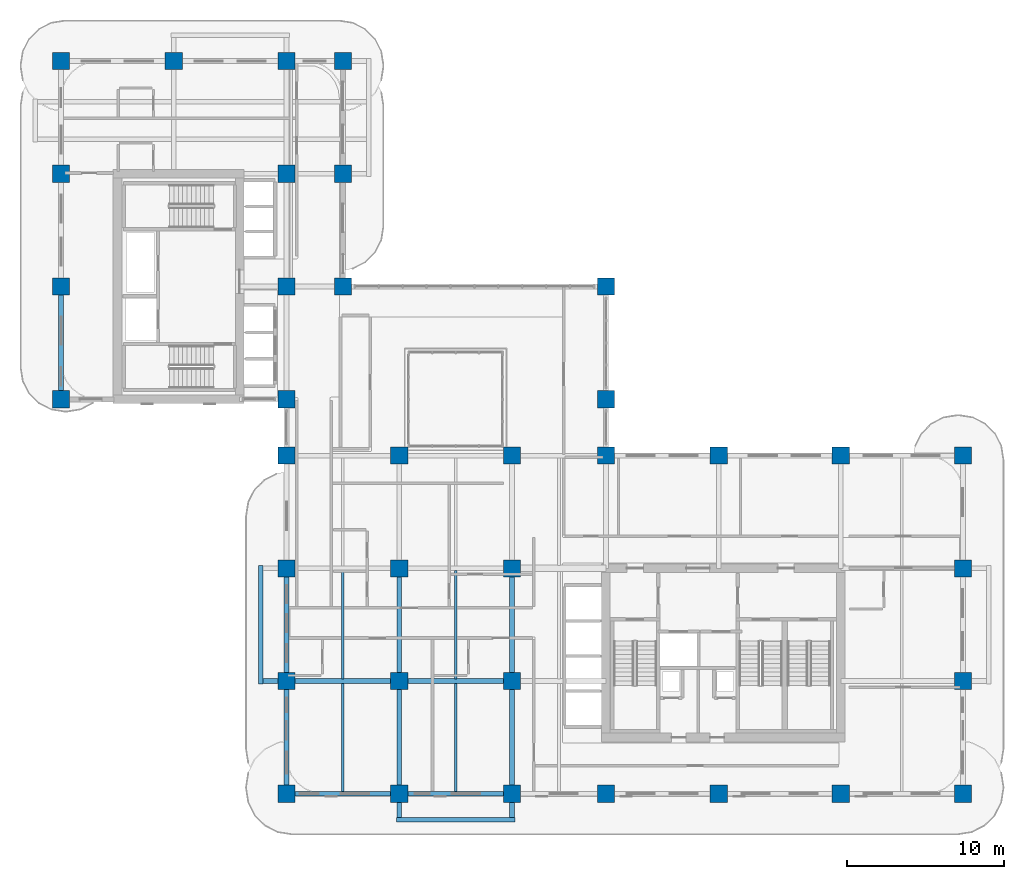
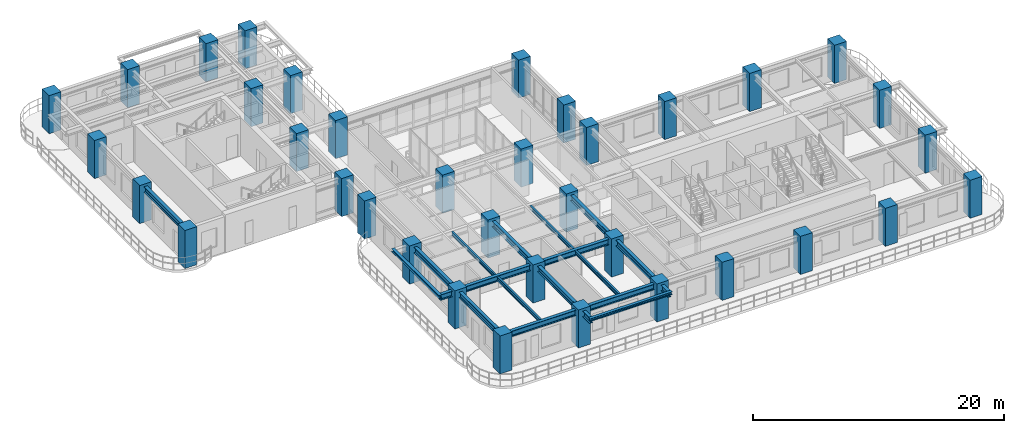
# One storey, part 1 of 22: 36 columns, 17 beams.
"""IFC4 building model written with IfcOpenShell, lengths in metres."""

import ifcopenshell
import ifcopenshell.guid

model = None  # the IFC model being written
_history = None  # IfcOwnerHistory: only IFC2X3 demands one
_inside = {}  # id of a spatial element -> (the spatial element, [elements in it])
_under = {}  # id of a project, library or spatial element -> (it, [spatial elements below it])
_declared = {}  # id of a project -> (the project, [libraries it declares])
_typed = {}  # id of a type object -> (the type object, [elements of that type])
_made_of = {}  # id of a material, layer set ... -> (it, [elements and type objects made of it])


def new_model(schema):
    """Start an empty IFC model of exactly this schema.

    Asked for "IFC4X3", IfcOpenShell would pick the latest addendum, in which some entities
    have other attributes; the version numbers below select the first issue.
    IFC2X3 requires an IfcOwnerHistory on every rooted entity: one is made here for all.
    """
    global model, _history
    if schema == "IFC4X3":
        model = ifcopenshell.file(schema_version=(4, 3, 0, 0))
    else:
        model = ifcopenshell.file(schema=schema)
    _inside.clear()
    _under.clear()
    _declared.clear()
    _typed.clear()
    _made_of.clear()
    _history = None
    if model.schema == "IFC2X3":
        org = make("IfcOrganization", Name="unknown")
        user = make(
            "IfcPersonAndOrganization",
            ThePerson=make("IfcPerson", FamilyName="unknown"),
            TheOrganization=org,
        )
        app = make(
            "IfcApplication",
            ApplicationDeveloper=org,
            Version="unknown",
            ApplicationFullName="unknown",
            ApplicationIdentifier="unknown",
        )
        _history = make(
            "IfcOwnerHistory",
            OwningUser=user,
            OwningApplication=app,
            ChangeAction="ADDED",
            CreationDate=0,
        )
    return model


def make(cls, **values):
    """One entity of the class cls with the attributes given. An attribute that is None is left unset."""
    return model.create_entity(
        cls, **{name: value for name, value in values.items() if value is not None}
    )


def rooted(cls, **values):
    """An entity with a GlobalId (a new one), such as an element, a storey or a relation."""
    return make(cls, GlobalId=ifcopenshell.guid.new(), OwnerHistory=_history, **values)


def si_unit(unit_type, name, prefix=None):
    """IfcSIUnit, for example si_unit("LENGTHUNIT", "METRE", prefix="MILLI")."""
    return make("IfcSIUnit", UnitType=unit_type, Prefix=prefix, Name=name)


def derived_unit(unit_type, elements):
    """IfcDerivedUnit: a product of units, each with its exponent."""
    return make(
        "IfcDerivedUnit",
        Elements=[
            make("IfcDerivedUnitElement", Unit=unit, Exponent=power)
            for unit, power in elements
        ],
        UnitType=unit_type,
    )


def assignment(units):
    """IfcUnitAssignment: the units of a project."""
    return None if units is None else make("IfcUnitAssignment", Units=units)


def point(xyz):
    """IfcCartesianPoint."""
    return None if xyz is None else make("IfcCartesianPoint", Coordinates=xyz)


def direction(xyz):
    """IfcDirection."""
    return None if xyz is None else make("IfcDirection", DirectionRatios=xyz)


def frame(location, z_axis=None, x_axis=None):
    """IfcAxis2Placement3D, a coordinate frame: its origin and axes. An axis left out is left unset."""
    return make(
        "IfcAxis2Placement3D",
        Location=point(location),
        Axis=direction(z_axis),
        RefDirection=direction(x_axis),
    )


def frame_2d(location, x_axis=None):
    """IfcAxis2Placement2D, a coordinate frame in the plane: its origin and x axis."""
    return make(
        "IfcAxis2Placement2D", Location=point(location), RefDirection=direction(x_axis)
    )


def origin():
    """The frame at (0, 0, 0) with its axes left unset."""
    return frame((0.0, 0.0, 0.0))


def origin_2d():
    """The frame at (0, 0) in the plane with its x axis left unset."""
    return frame_2d((0.0, 0.0))


def place(relative_to, where):
    """IfcLocalPlacement: puts the frame where relative to a parent placement (None: the world)."""
    return make(
        "IfcLocalPlacement", PlacementRelTo=relative_to, RelativePlacement=where
    )


def context(
    kind, dimensions, precision=None, world=None, true_north=None, identifier=None
):
    """IfcGeometricRepresentationContext, for example the 3D "Model" context."""
    return make(
        "IfcGeometricRepresentationContext",
        ContextIdentifier=identifier,
        ContextType=kind,
        CoordinateSpaceDimension=dimensions,
        Precision=precision,
        WorldCoordinateSystem=world,
        TrueNorth=true_north,
    )


def subcontext(parent, identifier, kind, view, scale=None):
    """IfcGeometricRepresentationSubContext, for example "Body" below "Model"."""
    return make(
        "IfcGeometricRepresentationSubContext",
        ContextIdentifier=identifier,
        ContextType=kind,
        ParentContext=parent,
        TargetScale=scale,
        TargetView=view,
    )


def project(units=None, contexts=None):
    """IfcProject with its units and contexts."""
    return rooted(
        "IfcProject",
        Name="project",
        RepresentationContexts=contexts,
        UnitsInContext=assignment(units),
    )


def spatial(cls, under=None, at=None, **own):
    """A site, building, storey or space (cls), placed at a placement, below another one or the project."""
    s = rooted(cls, ObjectPlacement=at, **own)
    if under is not None:
        _under.setdefault(under.id(), (under, []))[1].append(s)
    return s


def profile(cls, at=None, kind="AREA", **sizes):
    """A parametric profile (cls). Its sizes go by their IFC names, for example OverallWidth=200.0."""
    return make(cls, ProfileType=kind, Position=at, **sizes)


def rectangle(**sizes):
    """IfcRectangleProfileDef."""
    return profile("IfcRectangleProfileDef", **sizes)


def i_section(**sizes):
    """IfcIShapeProfileDef."""
    return profile("IfcIShapeProfileDef", **sizes)


def extrude(swept, where, along, depth):
    """IfcExtrudedAreaSolid: the profile swept, set in the frame where, extruded along a direction by depth."""
    return make(
        "IfcExtrudedAreaSolid",
        SweptArea=swept,
        Position=where,
        ExtrudedDirection=direction(along),
        Depth=depth,
    )


def shape(context_of_items, identifier, shape_type, items):
    """IfcShapeRepresentation: the items that make up one representation, for example the "Body"."""
    return make(
        "IfcShapeRepresentation",
        ContextOfItems=context_of_items,
        RepresentationIdentifier=identifier,
        RepresentationType=shape_type,
        Items=items,
    )


def source(mapping_origin, context_of_items, identifier, shape_type, items):
    """IfcRepresentationMap: a shape defined once, which mapped items show again and again."""
    return make(
        "IfcRepresentationMap",
        MappingOrigin=mapping_origin,
        MappedRepresentation=shape(context_of_items, identifier, shape_type, items),
    )


def transform(
    local_origin,
    x_axis=None,
    y_axis=None,
    z_axis=None,
    scale=None,
    scale2=None,
    scale3=None,
    uniform=True,
):
    """IfcCartesianTransformationOperator3D, or its non-uniform kind. x_axis, y_axis, z_axis: its Axis1, 2, 3."""
    if uniform:
        return make(
            "IfcCartesianTransformationOperator3D",
            Axis1=direction(x_axis),
            Axis2=direction(y_axis),
            LocalOrigin=point(local_origin),
            Scale=scale,
            Axis3=direction(z_axis),
        )
    return make(
        "IfcCartesianTransformationOperator3DnonUniform",
        Axis1=direction(x_axis),
        Axis2=direction(y_axis),
        LocalOrigin=point(local_origin),
        Scale=scale,
        Axis3=direction(z_axis),
        Scale2=scale2,
        Scale3=scale3,
    )


def mapped(mapping_source, mapping_target):
    """IfcMappedItem: shows the shape of a source again, moved by a transform."""
    return make(
        "IfcMappedItem", MappingSource=mapping_source, MappingTarget=mapping_target
    )


def material(Name=None, Category=None):
    """IfcMaterial."""
    return make("IfcMaterial", Name=Name, Category=Category)


def material_profile(
    of_material, cross_section, Name=None, Category=None, Priority=None
):
    """IfcMaterialProfile: a cross section and its material."""
    return make(
        "IfcMaterialProfile",
        Name=Name,
        Material=of_material,
        Profile=cross_section,
        Priority=Priority,
        Category=Category,
    )


def profile_set(profiles, Name=None, composite=None):
    """IfcMaterialProfileSet."""
    return make(
        "IfcMaterialProfileSet",
        Name=Name,
        MaterialProfiles=profiles,
        CompositeProfile=composite,
    )


def made_of(thing, what):
    """Note that an element or type object is made of a material, layer set ...; save() writes the relation."""
    if what is not None:
        _made_of.setdefault(what.id(), (what, []))[1].append(thing)
    return thing


def type_object(cls, material=None, **own):
    """A type object (cls), such as IfcWallType, which elements share."""
    return made_of(rooted(cls, **own), material)


def type_shapes(of_type, sources):
    """Give a type object the sources (RepresentationMaps) that its elements show as mapped items."""
    of_type.RepresentationMaps = sources


def element(
    cls,
    number,
    at=None,
    inside=None,
    cuts=None,
    type_object=None,
    material=None,
    context=None,
    identifier="Body",
    shape_type=None,
    held_by="IfcProductDefinitionShape",
    body=None,
    shapes=None,
    **own,
):
    """One element of the class cls, such as IfcWall. Its Tag is "e" and its number.

    at: its placement. inside: the storey or other place that contains it. cuts: it is an
    opening in that element (IfcRelVoidsElement). A single representation is given by context,
    identifier, shape_type and body (its items); several are given by shapes. held_by: the class
    of the entity that holds the representations. save() writes the other relations.
    """
    e = rooted(cls, Tag="e%d" % number, ObjectPlacement=at, **own)
    if body is not None:
        shapes = [shape(context, identifier, shape_type, body)]
    if shapes is not None:
        e.Representation = make(held_by, Representations=shapes)
    if inside is not None:
        _inside.setdefault(inside.id(), (inside, []))[1].append(e)
    if cuts is not None:
        rooted(
            "IfcRelVoidsElement", RelatingBuildingElement=cuts, RelatedOpeningElement=e
        )
    if type_object is not None:
        _typed.setdefault(type_object.id(), (type_object, []))[1].append(e)
    return made_of(e, material)


def aggregate(whole, parts):
    """IfcRelAggregates: a whole, such as a stair, and the parts it consists of."""
    return rooted("IfcRelAggregates", RelatingObject=whole, RelatedObjects=parts)


def save(model, path):
    """Write the relations noted so far, then the file.

    IfcRelAggregates (storeys below a building ...), IfcRelContainedInSpatialStructure (elements
    in a storey), IfcRelDefinesByType, IfcRelAssociatesMaterial and IfcRelDeclares: one each for
    every whole, place, type object, material and project.
    """
    for whole, parts in _under.values():
        aggregate(whole, parts)
    for where, things in _inside.values():
        rooted(
            "IfcRelContainedInSpatialStructure",
            RelatedElements=things,
            RelatingStructure=where,
        )
    for kind, things in _typed.values():
        rooted("IfcRelDefinesByType", RelatedObjects=things, RelatingType=kind)
    for what, things in _made_of.values():
        rooted("IfcRelAssociatesMaterial", RelatedObjects=things, RelatingMaterial=what)
    for by, libraries in _declared.values():
        rooted("IfcRelDeclares", RelatingContext=by, RelatedDefinitions=libraries)
    model.write(path)


model = new_model("IFC4")

# Units and contexts
model_context = context("Model", 3, precision=1e-05, world=origin(), true_north=direction((0.0, 1.0)))
body_context = subcontext(model_context, "Body", "Model", "MODEL_VIEW")
ifc_project = project(units=[si_unit("LENGTHUNIT", "METRE"), si_unit("AREAUNIT", "SQUARE_METRE"), si_unit("VOLUMEUNIT", "CUBIC_METRE"), si_unit("PLANEANGLEUNIT", "RADIAN"), si_unit("MASSUNIT", "GRAM", prefix="KILO"), si_unit("THERMODYNAMICTEMPERATUREUNIT", "KELVIN"), si_unit("POWERUNIT", "WATT"), derived_unit("THERMALTRANSMITTANCEUNIT", [(si_unit("POWERUNIT", "WATT"), 1), (si_unit("AREAUNIT", "SQUARE_METRE"), -1), (si_unit("THERMODYNAMICTEMPERATUREUNIT", "KELVIN"), -1)])], contexts=[model_context])

# Site, building, storey
site_placement = place(None, origin())
site = spatial("IfcSite", under=ifc_project, at=site_placement, CompositionType="ELEMENT")
building_placement = place(site_placement, origin())
building = spatial("IfcBuilding", under=site, at=building_placement, Name="Zahravan Archway Hotel and Residences", CompositionType="ELEMENT")
storey_placement = place(building_placement, frame((0.0, 0.0, 91.60009765625)))
storey = spatial("IfcBuildingStorey", under=building, at=storey_placement, Name="L22", CompositionType="ELEMENT", Elevation=91.60009765625)

# Columns
ifc_material_1 = material(Name="Concrete C70/85", Category="concrete")
ifc_material_profile_1 = material_profile(ifc_material_1, rectangle(XDim=1.10009765625, YDim=1.10009765625, at=origin_2d()), Name="RC 1100x1100", Category="concrete")
ifc_profile_set_1 = profile_set([ifc_material_profile_1], Name="Concrete C70/85")
column_type = type_object("IfcColumnType", Name="COL-RC-1100", PredefinedType="COLUMN", material=ifc_profile_set_1)
shared_shape_1 = source(origin(), body_context, "Body", "SweptSolid", [
    extrude(rectangle(XDim=1.10009765625, YDim=1.10009765625, at=origin_2d()), origin(), (0.0, 0.0, 1.0), 3.699951171875),
])
for number, where, z_axis, x_axis, name in (
    (1, (0.0, 25.199951171875, 0.0), (0.0, 0.0, 1.0), (1.0, 0.0, 0.0), "L22 Column 1-E"),
    (2, (0.0, 32.39990234375, 0.0), (0.0, 0.0, 1.0), (1.0, 0.0, 0.0), "L22 Column 1-F"),
    (3, (0.0, 39.60009765625, 0.0), (0.0, 0.0, 1.0), (1.0, 0.0, 0.0), "L22 Column 1-G"),
    (4, (0.0, 46.800048828125, 0.0), (0.0, 0.0, 1.0), (1.0, 0.0, 0.0), "L22 Column 1-H"),
    (5, (7.199951171875, 46.800048828125, 0.0), (0.0, 0.0, 1.0), (1.0, 0.0, 0.0), "L22 Column 2-H"),
    (6, (14.39990234375, 0.0, 0.0), (0.0, 0.0, 1.0), (1.0, 0.0, 0.0), "L22 Column 3-A"),
    (7, (14.39990234375, 7.199951171875, 0.0), (0.0, 0.0, 1.0), (1.0, 0.0, 0.0), "L22 Column 3-B"),
    (8, (14.39990234375, 14.39990234375, 0.0), (0.0, 0.0, 1.0), (1.0, 0.0, 0.0), "L22 Column 3-C"),
    (9, (14.39990234375, 21.60009765625, 0.0), (0.0, 0.0, 1.0), (1.0, 0.0, 0.0), "L22 Column 3-D"),
    (10, (14.39990234375, 25.199951171875, 0.0), (0.0, 0.0, 1.0), (1.0, 0.0, 0.0), "L22 Column 3-E"),
    (11, (14.39990234375, 32.39990234375, 0.0), (0.0, 0.0, 1.0), (1.0, 0.0, 0.0), "L22 Column 3-F"),
    (12, (14.39990234375, 39.60009765625, 0.0), (0.0, 0.0, 1.0), (1.0, 0.0, 0.0), "L22 Column 3-G"),
    (13, (14.39990234375, 46.800048828125, 0.0), (0.0, 0.0, 1.0), (1.0, 0.0, 0.0), "L22 Column 3-H"),
    (14, (21.60009765625, 0.0, 0.0), (0.0, 0.0, 1.0), (1.0, 0.0, 0.0), "L22 Column 4-A"),
    (15, (21.60009765625, 7.199951171875, 0.0), (0.0, 0.0, 1.0), (1.0, 0.0, 0.0), "L22 Column 4-B"),
    (16, (21.60009765625, 14.39990234375, 0.0), (0.0, 0.0, 1.0), (1.0, 0.0, 0.0), "L22 Column 4-C"),
    (17, (21.60009765625, 21.60009765625, 0.0), (0.0, 0.0, 1.0), (1.0, 0.0, 0.0), "L22 Column 4-D"),
    (18, (28.800048828125, 0.0, 0.0), (0.0, 0.0, 1.0), (1.0, 0.0, 0.0), "L22 Column 5-A"),
    (19, (28.800048828125, 7.199951171875, 0.0), (0.0, 0.0, 1.0), (1.0, 0.0, 0.0), "L22 Column 5-B"),
    (20, (28.800048828125, 14.39990234375, 0.0), (0.0, 0.0, 1.0), (1.0, 0.0, 0.0), "L22 Column 5-C"),
    (21, (28.800048828125, 21.60009765625, 0.0), (0.0, 0.0, 1.0), (1.0, 0.0, 0.0), "L22 Column 5-D"),
    (22, (34.800048828125, 0.0, 0.0), (0.0, 0.0, 1.0), (1.0, 0.0, 0.0), "L22 Column 6-A"),
    (23, (34.800048828125, 21.60009765625, 0.0), (0.0, 0.0, 1.0), (1.0, 0.0, 0.0), "L22 Column 6-D"),
    (24, (34.800048828125, 25.199951171875, 0.0), (0.0, 0.0, 1.0), (1.0, 0.0, 0.0), "L22 Column 6-E"),
    (25, (34.800048828125, 32.39990234375, 0.0), (0.0, 0.0, 1.0), (1.0, 0.0, 0.0), "L22 Column 6-F"),
    (26, (42.0, 0.0, 0.0), (0.0, 0.0, 1.0), (1.0, 0.0, 0.0), "L22 Column 7-A"),
    (27, (42.0, 21.60009765625, 0.0), (0.0, 0.0, 1.0), (1.0, 0.0, 0.0), "L22 Column 7-D"),
    (28, (49.800048828125, 0.0, 0.0), (0.0, 0.0, 1.0), (1.0, 0.0, 0.0), "L22 Column 8-A"),
    (29, (49.800048828125, 21.60009765625, 0.0), (0.0, 0.0, 1.0), (1.0, 0.0, 0.0), "L22 Column 8-D"),
    (30, (57.60009765625, 0.0, 0.0), (0.0, 0.0, 1.0), (1.0, 0.0, 0.0), "L22 Column 9-A"),
    (31, (57.60009765625, 7.199951171875, 0.0), (0.0, 0.0, 1.0), (1.0, 0.0, 0.0), "L22 Column 9-B"),
    (32, (57.60009765625, 14.39990234375, 0.0), (0.0, 0.0, 1.0), (1.0, 0.0, 0.0), "L22 Column 9-C"),
    (33, (57.60009765625, 21.60009765625, 0.0), (0.0, 0.0, 1.0), (1.0, 0.0, 0.0), "L22 Column 9-D"),
    (34, (18.0, 32.39990234375, 0.0), (0.0, 0.0, 1.0), (1.0, 0.0, 0.0), "L22 Column 3B-F"),
    (35, (18.0, 39.60009765625, 0.0), (0.0, 0.0, 1.0), (1.0, 0.0, 0.0), "L22 Column 3B-G"),
    (36, (18.0, 46.800048828125, 0.0), (0.0, 0.0, 1.0), (1.0, 0.0, 0.0), "L22 Column 3B-H"),
):
    element("IfcColumn", number, at=place(storey_placement, frame(where, z_axis=z_axis, x_axis=x_axis)), inside=storey, type_object=column_type, Name=name, PredefinedType="COLUMN", context=body_context, shape_type="MappedRepresentation", body=[
        mapped(shared_shape_1, transform((0.0, 0.0, 0.0), scale=1.0)),
    ])

# Beams
ifc_material_2 = material(Name="Structural Steel S355JR", Category="steel")
ifc_material_profile_2 = material_profile(ifc_material_2, i_section(OverallWidth=0.280029296875, OverallDepth=0.280029296875, WebThickness=0.010498046875, FlangeThickness=0.01806640625, FilletRadius=0.02392578125, at=origin_2d()), Name="HEB 280", Category="steel")
ifc_profile_set_2 = profile_set([ifc_material_profile_2], Name="Structural Steel S355JR")
beam_type_1 = type_object("IfcBeamType", Name="BM-SPN-HEB280", PredefinedType="SPANDREL", material=ifc_profile_set_2)
shared_shape_2 = source(origin(), body_context, "Body", "SweptSolid", [
    extrude(i_section(OverallWidth=0.280029296875, OverallDepth=0.280029296875, WebThickness=0.010498046875, FlangeThickness=0.01806640625, FilletRadius=0.02392578125, at=origin_2d()), origin(), (0.0, 0.0, 1.0), 7.56005859375),
])
type_shapes(beam_type_1, [shared_shape_2])
for number, where, z_axis, x_axis, name in (
    (37, (12.75, 7.02001953125, 3.309814453125), (0.0, 1.0, 0.0), (-1.0, 0.0, 0.0), "L23 WA Balcony Edge Spandrel"),
    (38, (21.419921875, -1.64990234375, 3.309814453125), (1.0, 0.0, 0.0), (0.0, 1.0, 0.0), "L23 SA Balcony Edge Spandrel"),
):
    element("IfcBeam", number, at=place(storey_placement, frame(where, z_axis=z_axis, x_axis=x_axis)), inside=storey, type_object=beam_type_1, Name=name, PredefinedType="SPANDREL", context=body_context, shape_type="MappedRepresentation", body=[
        mapped(shared_shape_2, transform((0.0, 0.0, 0.0), scale=1.0)),
    ])
ifc_material_profile_3 = material_profile(ifc_material_2, i_section(OverallWidth=0.300048828125, OverallDepth=0.550048828125, WebThickness=0.014892578125, FlangeThickness=0.029052734375, FilletRadius=0.027099609375, at=origin_2d()), Name="HEB 550", Category="steel")
ifc_profile_set_3 = profile_set([ifc_material_profile_3], Name="Structural Steel S355JR")
beam_type_2 = type_object("IfcBeamType", Name="BM-PRI-HEB550", PredefinedType="BEAM", material=ifc_profile_set_3)
shared_shape_3 = source(origin(), body_context, "Body", "SweptSolid", [
    extrude(i_section(OverallWidth=0.300048828125, OverallDepth=0.550048828125, WebThickness=0.014892578125, FlangeThickness=0.029052734375, FilletRadius=0.027099609375, at=origin_2d()), origin(), (0.0, 0.0, 1.0), 7.2001953125),
])
type_shapes(beam_type_2, [shared_shape_3])
beam_1_placement = place(storey_placement, frame((14.39990234375, 0.0, 3.1748046875), z_axis=(1.0, 0.0, 0.0), x_axis=(0.0, 1.0, 0.0)))
element("IfcBeam", 39, at=beam_1_placement, inside=storey, type_object=beam_type_2, Name="L22 Primary Girder EW-01", PredefinedType="BEAM", context=body_context, shape_type="MappedRepresentation", body=[
    mapped(shared_shape_3, transform((0.0, 0.0, 0.0), scale=1.0)),
])
shared_shape_4 = source(origin(), body_context, "Body", "SweptSolid", [
    extrude(i_section(OverallWidth=0.300048828125, OverallDepth=0.550048828125, WebThickness=0.014892578125, FlangeThickness=0.029052734375, FilletRadius=0.027099609375, at=origin_2d()), origin(), (0.0, 0.0, 1.0), 7.199951171875),
])
for number, where, z_axis, x_axis, name in (
    (40, (21.60009765625, 0.0, 3.1748046875), (1.0, 0.0, 0.0), (0.0, 1.0, 0.0), "L22 Primary Girder EW-02"),
    (41, (21.60009765625, 7.199951171875, 3.1748046875), (1.0, 0.0, 0.0), (0.0, 1.0, 0.0), "L22 Primary Girder EW-08"),
    (42, (0.0, 25.199951171875, 3.1748046875), (0.0, 1.0, 0.0), (-1.0, 0.0, 0.0), "L22 Primary Girder NS-28"),
    (43, (14.39990234375, 0.0, 3.1748046875), (0.0, 1.0, 0.0), (-1.0, 0.0, 0.0), "L22 Primary Girder NS-32"),
    (44, (14.39990234375, 7.199951171875, 3.1748046875), (0.0, 1.0, 0.0), (-1.0, 0.0, 0.0), "L22 Primary Girder NS-33"),
    (45, (21.60009765625, 7.199951171875, 3.1748046875), (0.0, 1.0, 0.0), (-1.0, 0.0, 0.0), "L22 Primary Girder NS-40"),
    (46, (28.800048828125, 7.199951171875, 3.1748046875), (0.0, 1.0, 0.0), (-1.0, 0.0, 0.0), "L22 Primary Girder NS-43"),
):
    element("IfcBeam", number, at=place(storey_placement, frame(where, z_axis=z_axis, x_axis=x_axis)), inside=storey, type_object=beam_type_2, Name=name, PredefinedType="BEAM", context=body_context, shape_type="MappedRepresentation", body=[
        mapped(shared_shape_4, transform((0.0, 0.0, 0.0), scale=1.0)),
    ])
shared_shape_5 = source(origin(), body_context, "Body", "SweptSolid", [
    extrude(i_section(OverallWidth=0.300048828125, OverallDepth=0.550048828125, WebThickness=0.014892578125, FlangeThickness=0.029052734375, FilletRadius=0.027099609375, at=origin_2d()), origin(), (0.0, 0.0, 1.0), 8.85009765625),
])
beam_2_placement = place(storey_placement, frame((12.75, 7.199951171875, 3.1748046875), z_axis=(1.0, 0.0, 0.0), x_axis=(0.0, 1.0, 0.0)))
element("IfcBeam", 47, at=beam_2_placement, inside=storey, type_object=beam_type_2, Name="L22 Primary Girder EW-07", PredefinedType="BEAM", context=body_context, shape_type="MappedRepresentation", body=[
    mapped(shared_shape_5, transform((0.0, 0.0, 0.0), scale=1.0)),
])
shared_shape_6 = source(origin(), body_context, "Body", "SweptSolid", [
    extrude(i_section(OverallWidth=0.300048828125, OverallDepth=0.550048828125, WebThickness=0.014892578125, FlangeThickness=0.029052734375, FilletRadius=0.027099609375, at=origin_2d()), origin(), (0.0, 0.0, 1.0), 8.849853515625),
])
for number, where, z_axis, x_axis, name in (
    (48, (21.60009765625, -1.64990234375, 3.1748046875), (0.0, 1.0, 0.0), (-1.0, 0.0, 0.0), "L22 Primary Girder NS-39"),
    (49, (28.800048828125, -1.64990234375, 3.1748046875), (0.0, 1.0, 0.0), (-1.0, 0.0, 0.0), "L22 Primary Girder NS-42"),
):
    element("IfcBeam", number, at=place(storey_placement, frame(where, z_axis=z_axis, x_axis=x_axis)), inside=storey, type_object=beam_type_2, Name=name, PredefinedType="BEAM", context=body_context, shape_type="MappedRepresentation", body=[
        mapped(shared_shape_6, transform((0.0, 0.0, 0.0), scale=1.0)),
    ])
ifc_material_profile_4 = material_profile(ifc_material_2, i_section(OverallWidth=0.169921875, OverallDepth=0.360107421875, WebThickness=0.008056640625, FlangeThickness=0.0126953125, FilletRadius=0.01806640625, at=origin_2d()), Name="IPE 360", Category="steel")
ifc_profile_set_4 = profile_set([ifc_material_profile_4], Name="Structural Steel S355JR")
beam_type_3 = type_object("IfcBeamType", Name="BM-JST-IPE360", PredefinedType="JOIST", material=ifc_profile_set_4)
shared_shape_7 = source(origin(), body_context, "Body", "SweptSolid", [
    extrude(i_section(OverallWidth=0.169921875, OverallDepth=0.360107421875, WebThickness=0.008056640625, FlangeThickness=0.0126953125, FilletRadius=0.01806640625, at=origin_2d()), origin(), (0.0, 0.0, 1.0), 6.904052734375),
])
type_shapes(beam_type_3, [shared_shape_7])
for number, where, z_axis, x_axis, name in (
    (50, (18.0, 0.14794921875, 3.27001953125), (0.0, 1.0, 0.0), (-1.0, 0.0, 0.0), "L22 Composite Floor Joist 01"),
    (51, (25.199951171875, 0.14794921875, 3.27001953125), (0.0, 1.0, 0.0), (-1.0, 0.0, 0.0), "L22 Composite Floor Joist 02"),
    (52, (18.0, 7.347900390625, 3.27001953125), (0.0, 1.0, 0.0), (-1.0, 0.0, 0.0), "L22 Composite Floor Joist 05"),
    (53, (25.199951171875, 7.347900390625, 3.27001953125), (0.0, 1.0, 0.0), (-1.0, 0.0, 0.0), "L22 Composite Floor Joist 06"),
):
    element("IfcBeam", number, at=place(storey_placement, frame(where, z_axis=z_axis, x_axis=x_axis)), inside=storey, type_object=beam_type_3, Name=name, PredefinedType="JOIST", context=body_context, shape_type="MappedRepresentation", body=[
        mapped(shared_shape_7, transform((0.0, 0.0, 0.0), scale=1.0)),
    ])

save(model, "model.ifc")
